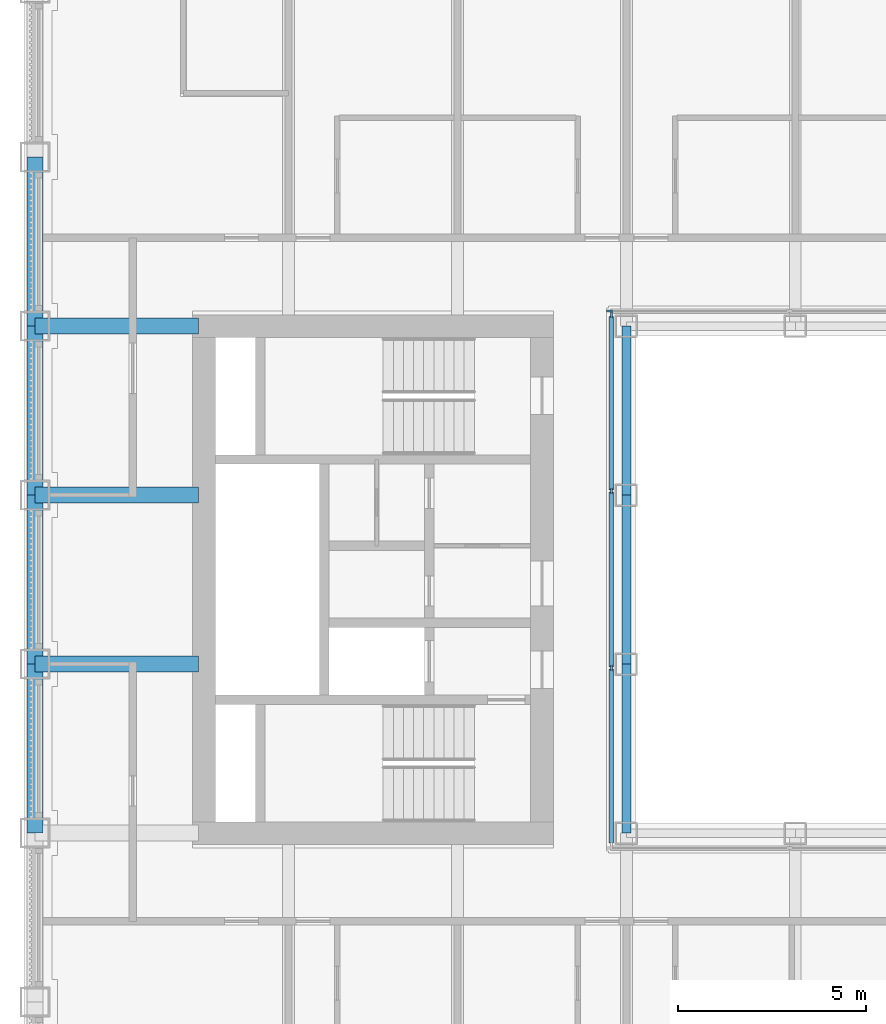
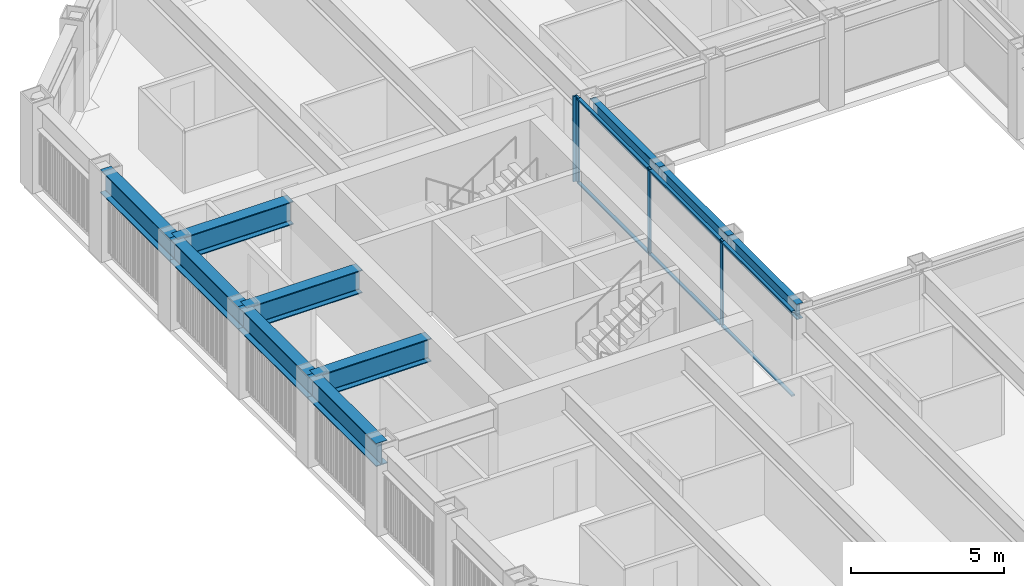
# One storey, part 4 of 17: 10 beams, 10 members, 2 elements without a shape of their own.
"""IFC4 building model written with IfcOpenShell, lengths in metres."""

from ifc_helpers import new_model, si_unit, direction, frame, origin, origin_2d, place, context, subcontext, project, spatial, rectangle, i_section, extrude, material, material_profile, profile_set, type_object, element, aggregate, save


model = new_model("IFC4")

# Units and contexts
model_context = context("Model", 3, precision=1e-05, world=origin(), true_north=direction((0.0, 1.0)))
body_context = subcontext(model_context, "Body", "Model", "MODEL_VIEW")
ifc_project = project(units=[si_unit("LENGTHUNIT", "METRE"), si_unit("AREAUNIT", "SQUARE_METRE"), si_unit("VOLUMEUNIT", "CUBIC_METRE"), si_unit("PLANEANGLEUNIT", "RADIAN"), si_unit("MASSUNIT", "GRAM", prefix="KILO")], contexts=[model_context])

# Site, building, storey
site_placement = place(None, origin())
site = spatial("IfcSite", under=ifc_project, at=site_placement, CompositionType="ELEMENT")
building_placement = place(site_placement, origin())
building = spatial("IfcBuilding", under=site, at=building_placement, Name="Msasa Ring Tower", CompositionType="ELEMENT")
storey_placement = place(building_placement, frame((0.0, 0.0, 147.199951171875)))
storey = spatial("IfcBuildingStorey", under=building, at=storey_placement, Name="L38", CompositionType="ELEMENT", Elevation=147.199951171875)

# Curtain wall, member
ifc_material_1 = material(Name="Aluminium curtain wall with clear glass", Category="aluminium")
curtain_wall_type = type_object("IfcCurtainWallType", Name="CW-W LIGHT WELL CURTAIN WALL", PredefinedType="NOTDEFINED", material=ifc_material_1)
curtain_wall_1_placement = place(storey_placement, origin())
curtain_wall_1 = element("IfcCurtainWall", 1, at=curtain_wall_1_placement, inside=storey, type_object=curtain_wall_type, Name="Light well curtain wall N L38", PredefinedType="NOTDEFINED")
ifc_material_2 = material(Name="Aluminium mullion", Category="aluminium")
ifc_material_profile_1 = material_profile(ifc_material_2, rectangle(XDim=0.06005859375, YDim=0.159912109375, at=origin_2d()), Name="AL 60x160")
ifc_profile_set_1 = profile_set([ifc_material_profile_1], Name="Aluminium mullion")
member_type_1 = type_object("IfcMemberType", Name="CW-W MULLION 60x160", PredefinedType="MULLION", material=ifc_profile_set_1)
member_1_placement = place(storey_placement, frame((-7.199951171875, 7.14990234375, 0.0), z_axis=(0.0, 0.0, 1.0), x_axis=(0.0, 1.0, 0.0)))
member_1 = element("IfcMember", 2, at=member_1_placement, type_object=member_type_1, Name="CW-W mullion 1", PredefinedType="MULLION", context=body_context, shape_type="SweptSolid", body=[
    extrude(rectangle(XDim=0.06005859375, YDim=0.159912109375, at=origin_2d()), origin(), (0.0, 0.0, 1.0), 3.400146484375),
])
aggregate(curtain_wall_1, [member_1])

# Curtain wall, members
curtain_wall_2_placement = place(storey_placement, origin())
curtain_wall_2 = element("IfcCurtainWall", 3, at=curtain_wall_2_placement, inside=storey, type_object=curtain_wall_type, Name="Light well curtain wall W L38", PredefinedType="NOTDEFINED")
member_2_placement = place(storey_placement, frame((-7.14990234375, -2.356689453125, 0.0), z_axis=(0.0, 0.0, 1.0), x_axis=(-1.0, 0.0, 0.0)))
member_2 = element("IfcMember", 4, at=member_2_placement, type_object=member_type_1, Name="CW-W mullion 2", PredefinedType="MULLION", context=body_context, shape_type="SweptSolid", body=[
    extrude(rectangle(XDim=0.06005859375, YDim=0.159912109375, at=origin_2d()), origin(), (0.0, 0.0, 1.0), 3.400146484375),
])
member_3_placement = place(storey_placement, frame((-7.14990234375, 2.356689453125, 0.0), z_axis=(0.0, 0.0, 1.0), x_axis=(-1.0, 0.0, 0.0)))
member_3 = element("IfcMember", 5, at=member_3_placement, type_object=member_type_1, Name="CW-W mullion 3", PredefinedType="MULLION", context=body_context, shape_type="SweptSolid", body=[
    extrude(rectangle(XDim=0.06005859375, YDim=0.159912109375, at=origin_2d()), origin(), (0.0, 0.0, 1.0), 3.400146484375),
])
member_4_placement = place(storey_placement, frame((-7.14990234375, 7.0400390625, 0.0), z_axis=(0.0, 0.0, 1.0), x_axis=(-1.0, 0.0, 0.0)))
member_4 = element("IfcMember", 6, at=member_4_placement, type_object=member_type_1, Name="CW-W mullion 4", PredefinedType="MULLION", context=body_context, shape_type="SweptSolid", body=[
    extrude(rectangle(XDim=0.06005859375, YDim=0.159912109375, at=origin_2d()), origin(), (0.0, 0.0, 1.0), 3.400146484375),
])
ifc_material_3 = material(Name="Aluminium transom", Category="aluminium")
ifc_material_profile_2 = material_profile(ifc_material_3, rectangle(XDim=0.1201171875, YDim=0.06005859375, at=origin_2d()), Name="AL 60x120")
ifc_profile_set_2 = profile_set([ifc_material_profile_2], Name="Aluminium transom")
member_type_2 = type_object("IfcMemberType", Name="CW-W TRANSOM 60x120", PredefinedType="USERDEFINED", material=ifc_profile_set_2)
member_5_placement = place(storey_placement, frame((-7.14990234375, -7.010009765625, 0.030029296875), z_axis=(0.0, 1.0, 0.0), x_axis=(-1.0, 0.0, 0.0)))
member_5 = element("IfcMember", 7, at=member_5_placement, type_object=member_type_2, Name="CW-W transom 1.1", ObjectType="TRANSOM", PredefinedType="USERDEFINED", context=body_context, shape_type="SweptSolid", body=[
    extrude(rectangle(XDim=0.1201171875, YDim=0.06005859375, at=origin_2d()), origin(), (0.0, 0.0, 1.0), 4.623291015625),
])
member_6_placement = place(storey_placement, frame((-7.14990234375, -7.010009765625, 3.3701171875), z_axis=(0.0, 1.0, 0.0), x_axis=(-1.0, 0.0, 0.0)))
member_6 = element("IfcMember", 8, at=member_6_placement, type_object=member_type_2, Name="CW-W transom 1.2", ObjectType="TRANSOM", PredefinedType="USERDEFINED", context=body_context, shape_type="SweptSolid", body=[
    extrude(rectangle(XDim=0.1201171875, YDim=0.06005859375, at=origin_2d()), origin(), (0.0, 0.0, 1.0), 4.623291015625),
])
member_7_placement = place(storey_placement, frame((-7.14990234375, -2.32666015625, 0.030029296875), z_axis=(0.0, 1.0, 0.0), x_axis=(-1.0, 0.0, 0.0)))
member_7 = element("IfcMember", 9, at=member_7_placement, type_object=member_type_2, Name="CW-W transom 2.1", ObjectType="TRANSOM", PredefinedType="USERDEFINED", context=body_context, shape_type="SweptSolid", body=[
    extrude(rectangle(XDim=0.1201171875, YDim=0.06005859375, at=origin_2d()), origin(), (0.0, 0.0, 1.0), 4.6533203125),
])
member_8_placement = place(storey_placement, frame((-7.14990234375, -2.32666015625, 3.3701171875), z_axis=(0.0, 1.0, 0.0), x_axis=(-1.0, 0.0, 0.0)))
member_8 = element("IfcMember", 10, at=member_8_placement, type_object=member_type_2, Name="CW-W transom 2.2", ObjectType="TRANSOM", PredefinedType="USERDEFINED", context=body_context, shape_type="SweptSolid", body=[
    extrude(rectangle(XDim=0.1201171875, YDim=0.06005859375, at=origin_2d()), origin(), (0.0, 0.0, 1.0), 4.6533203125),
])
member_9_placement = place(storey_placement, frame((-7.14990234375, 2.38671875, 0.030029296875), z_axis=(0.0, 1.0, 0.0), x_axis=(-1.0, 0.0, 0.0)))
member_9 = element("IfcMember", 11, at=member_9_placement, type_object=member_type_2, Name="CW-W transom 3.1", ObjectType="TRANSOM", PredefinedType="USERDEFINED", context=body_context, shape_type="SweptSolid", body=[
    extrude(rectangle(XDim=0.1201171875, YDim=0.06005859375, at=origin_2d()), origin(), (0.0, 0.0, 1.0), 4.623291015625),
])
member_10_placement = place(storey_placement, frame((-7.14990234375, 2.38671875, 3.3701171875), z_axis=(0.0, 1.0, 0.0), x_axis=(-1.0, 0.0, 0.0)))
member_10 = element("IfcMember", 12, at=member_10_placement, type_object=member_type_2, Name="CW-W transom 3.2", ObjectType="TRANSOM", PredefinedType="USERDEFINED", context=body_context, shape_type="SweptSolid", body=[
    extrude(rectangle(XDim=0.1201171875, YDim=0.06005859375, at=origin_2d()), origin(), (0.0, 0.0, 1.0), 4.623291015625),
])
aggregate(curtain_wall_2, [member_2, member_3, member_4, member_5, member_6, member_7, member_8, member_9, member_10])

# Beams
ifc_material_4 = material(Name="Steel S355", Category="steel")
ifc_material_profile_3 = material_profile(ifc_material_4, i_section(OverallWidth=0.42041015625, OverallDepth=0.9208984375, WebThickness=0.021484375, FlangeThickness=0.03662109375, FilletRadius=0.024169921875, at=origin_2d()), Name="UB 914x419x388")
ifc_profile_set_3 = profile_set([ifc_material_profile_3], Name="Steel S355")
beam_type_1 = type_object("IfcBeamType", Name="FB2 UB 914x419x388", PredefinedType="BEAM", material=ifc_profile_set_3)
for number, where, z_axis, x_axis, name in (
    (13, (-22.5, -2.25, 2.939453125), (1.0, 0.0, 0.0), (0.0, 1.0, 0.0), "Floor beam W -2.25 under L39"),
    (14, (-22.5, 2.25, 2.939453125), (1.0, 0.0, 0.0), (0.0, 1.0, 0.0), "Floor beam W +2.25 under L39"),
):
    element("IfcBeam", number, at=place(storey_placement, frame(where, z_axis=z_axis, x_axis=x_axis)), inside=storey, type_object=beam_type_1, Name=name, PredefinedType="BEAM", context=body_context, shape_type="SweptSolid", body=[
        extrude(i_section(OverallWidth=0.42041015625, OverallDepth=0.9208984375, WebThickness=0.021484375, FlangeThickness=0.03662109375, FilletRadius=0.024169921875, at=origin_2d()), origin(), (0.0, 0.0, 1.0), 4.35009765625),
    ])
ifc_material_5 = material(Name="Steel S355", Category="steel")
ifc_material_profile_4 = material_profile(ifc_material_5, i_section(OverallWidth=0.42041015625, OverallDepth=0.9208984375, WebThickness=0.021484375, FlangeThickness=0.03662109375, FilletRadius=0.024169921875, at=origin_2d()), Name="UB 914x419x388")
ifc_profile_set_4 = profile_set([ifc_material_profile_4], Name="Steel S355")
beam_type_2 = type_object("IfcBeamType", Name="GB1 UB 914x419x388", PredefinedType="BEAM", material=ifc_profile_set_4)
beam_placement = place(storey_placement, frame((-18.14990234375, 6.75, 2.939453125), z_axis=(-1.0, 0.0, 0.0), x_axis=(0.0, -1.0, 0.0)))
element("IfcBeam", 15, at=beam_placement, inside=storey, type_object=beam_type_2, Name="Girder W +6.75 under L39", PredefinedType="BEAM", context=body_context, shape_type="SweptSolid", body=[
    extrude(i_section(OverallWidth=0.42041015625, OverallDepth=0.9208984375, WebThickness=0.021484375, FlangeThickness=0.03662109375, FilletRadius=0.024169921875, at=origin_2d()), origin(), (0.0, 0.0, 1.0), 4.35009765625),
])
ifc_material_6 = material(Name="Steel S355", Category="steel")
ifc_material_profile_5 = material_profile(ifc_material_6, i_section(OverallWidth=0.230224609375, OverallDepth=0.6171875, WebThickness=0.01318359375, FlangeThickness=0.022216796875, FilletRadius=0.0126953125, at=origin_2d()), Name="UB 610x229x140")
ifc_profile_set_5 = profile_set([ifc_material_profile_5], Name="Steel S355")
beam_type_3 = type_object("IfcBeamType", Name="RB1 UB 610x229x140", PredefinedType="BEAM", material=ifc_profile_set_5)
for number, where, z_axis, x_axis, name in (
    (16, (-6.75, -2.25, 3.091552734375), (0.0, -1.0, 0.0), (1.0, 0.0, 0.0), "Inner ring beam IR-6.75-2.25 under L39"),
    (17, (-6.75, 6.75, 3.091552734375), (0.0, -1.0, 0.0), (1.0, 0.0, 0.0), "Inner ring beam IR-6.75+6.75 under L39"),
    (18, (-6.75, 2.25, 3.091552734375), (0.0, -1.0, 0.0), (1.0, 0.0, 0.0), "Inner ring beam IR-6.75+2.25 under L39"),
):
    element("IfcBeam", number, at=place(storey_placement, frame(where, z_axis=z_axis, x_axis=x_axis)), inside=storey, type_object=beam_type_3, Name=name, PredefinedType="BEAM", context=body_context, shape_type="SweptSolid", body=[
        extrude(i_section(OverallWidth=0.230224609375, OverallDepth=0.6171875, WebThickness=0.01318359375, FlangeThickness=0.022216796875, FilletRadius=0.0126953125, at=origin_2d()), origin(), (0.0, 0.0, 1.0), 4.5),
    ])
ifc_material_7 = material(Name="Steel S355", Category="steel")
ifc_material_profile_6 = material_profile(ifc_material_7, i_section(OverallWidth=0.42041015625, OverallDepth=0.9208984375, WebThickness=0.021484375, FlangeThickness=0.03662109375, FilletRadius=0.024169921875, at=origin_2d()), Name="UB 914x419x388")
ifc_profile_set_6 = profile_set([ifc_material_profile_6], Name="Steel S355")
beam_type_4 = type_object("IfcBeamType", Name="SB1 UB 914x419x388", PredefinedType="SPANDREL", material=ifc_profile_set_6)
for number, where, z_axis, x_axis, name in (
    (19, (-22.5, -2.25, 2.939453125), (0.0, -1.0, 0.0), (1.0, 0.0, 0.0), "Spandrel W-2.25 to W-6.75 under L39"),
    (20, (-22.5, 11.25, 2.939453125), (0.0, -1.0, 0.0), (1.0, 0.0, 0.0), "Spandrel W+11.25 to W+6.75 under L39"),
    (21, (-22.5, 6.75, 2.939453125), (0.0, -1.0, 0.0), (1.0, 0.0, 0.0), "Spandrel W+6.75 to W+2.25 under L39"),
    (22, (-22.5, 2.25, 2.939453125), (0.0, -1.0, 0.0), (1.0, 0.0, 0.0), "Spandrel W+2.25 to W-2.25 under L39"),
):
    element("IfcBeam", number, at=place(storey_placement, frame(where, z_axis=z_axis, x_axis=x_axis)), inside=storey, type_object=beam_type_4, Name=name, PredefinedType="SPANDREL", context=body_context, shape_type="SweptSolid", body=[
        extrude(i_section(OverallWidth=0.42041015625, OverallDepth=0.9208984375, WebThickness=0.021484375, FlangeThickness=0.03662109375, FilletRadius=0.024169921875, at=origin_2d()), origin(), (0.0, 0.0, 1.0), 4.5),
    ])

save(model, "model.ifc")
